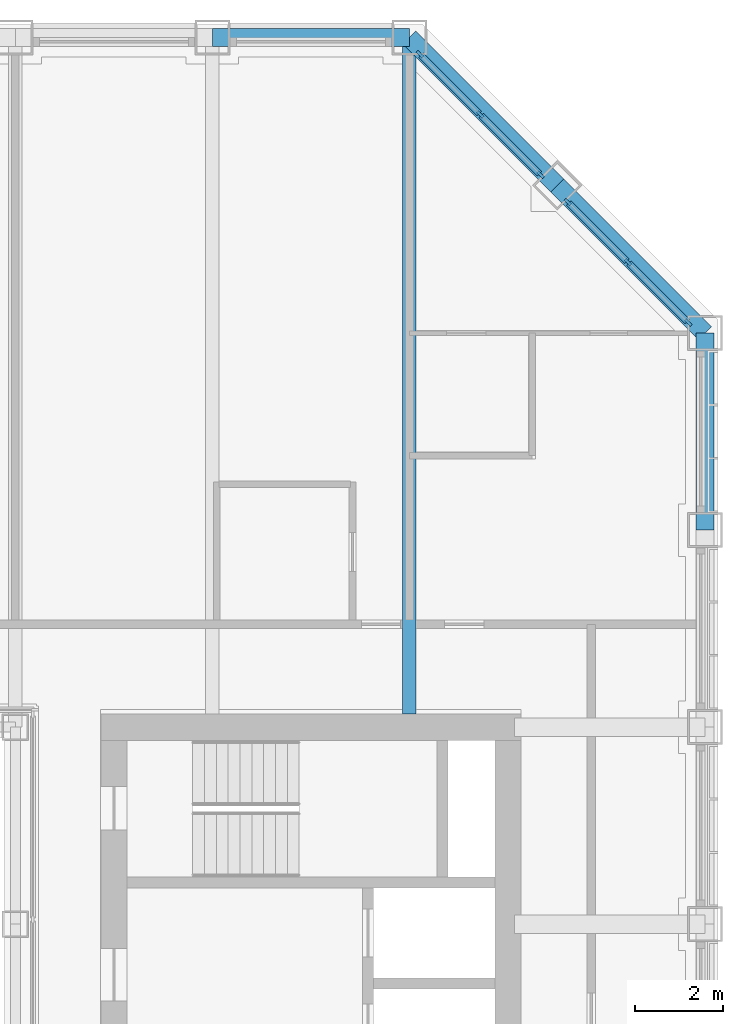
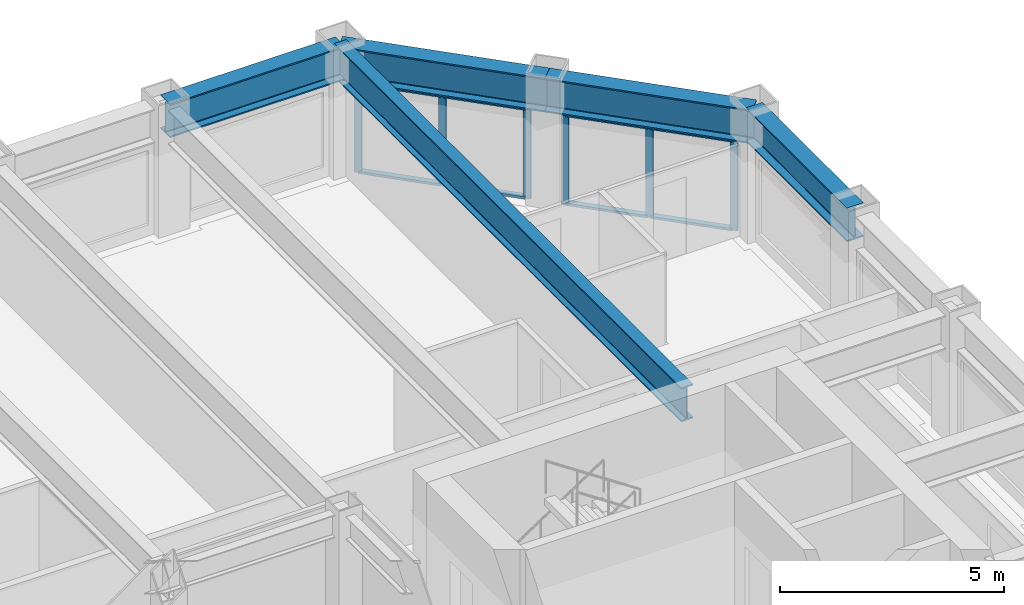
# One storey, part 8 of 17: 14 members, 5 beams, 2 elements without a shape of their own.
"""IFC4 building model written with IfcOpenShell, lengths in metres."""

from ifc_helpers import new_model, si_unit, direction, frame, origin, origin_2d, place, context, subcontext, project, spatial, rectangle, i_section, extrude, material, material_profile, profile_set, type_object, element, aggregate, save


model = new_model("IFC4")

# Units and contexts
model_context = context("Model", 3, precision=1e-05, world=origin(), true_north=direction((0.0, 1.0)))
body_context = subcontext(model_context, "Body", "Model", "MODEL_VIEW")
ifc_project = project(units=[si_unit("LENGTHUNIT", "METRE"), si_unit("AREAUNIT", "SQUARE_METRE"), si_unit("VOLUMEUNIT", "CUBIC_METRE"), si_unit("PLANEANGLEUNIT", "RADIAN"), si_unit("MASSUNIT", "GRAM", prefix="KILO")], contexts=[model_context])

# Site, building, storey
site_placement = place(None, origin())
site = spatial("IfcSite", under=ifc_project, at=site_placement, CompositionType="ELEMENT")
building_placement = place(site_placement, origin())
building = spatial("IfcBuilding", under=site, at=building_placement, Name="Msasa Ring Tower", CompositionType="ELEMENT")
storey_placement = place(building_placement, frame((0.0, 0.0, 168.800048828125)))
storey = spatial("IfcBuildingStorey", under=building, at=storey_placement, Name="L44", CompositionType="ELEMENT", Elevation=168.800048828125)

# Curtain wall, members
ifc_material_1 = material(Name="Aluminium curtain wall with clear glass", Category="aluminium")
curtain_wall_type = type_object("IfcCurtainWallType", Name="CW-C CHAMFER CORNER CURTAIN WALL", PredefinedType="NOTDEFINED", material=ifc_material_1)
curtain_wall_1_placement = place(storey_placement, origin())
curtain_wall_1 = element("IfcCurtainWall", 1, at=curtain_wall_1_placement, inside=storey, type_object=curtain_wall_type, Name="Chamfer corner curtain wall NE L44", PredefinedType="NOTDEFINED")
ifc_material_2 = material(Name="Aluminium mullion", Category="aluminium")
ifc_material_profile_1 = material_profile(ifc_material_2, rectangle(XDim=0.06494140625, YDim=0.179931640625, at=origin_2d()), Name="AL 65x180")
ifc_profile_set_1 = profile_set([ifc_material_profile_1], Name="Aluminium mullion")
member_type_1 = type_object("IfcMemberType", Name="CW-C MULLION 65x180", PredefinedType="MULLION", material=ifc_profile_set_1)
member_1_placement = place(storey_placement, frame((18.744873046875, 19.36376953125, 0.0), z_axis=(0.0, 0.0, 1.0), x_axis=(-0.707106781187, -0.707106781187, 0.0)))
member_1 = element("IfcMember", 2, at=member_1_placement, type_object=member_type_1, Name="CW-C mullion 1", PredefinedType="MULLION", context=body_context, shape_type="SweptSolid", body=[
    extrude(rectangle(XDim=0.06494140625, YDim=0.179931640625, at=origin_2d()), origin(), (0.0, 0.0, 1.0), 2.47900390625),
])
member_2_placement = place(storey_placement, frame((17.36669921875, 20.74169921875, 0.0), z_axis=(0.0, 0.0, 1.0), x_axis=(-0.707106781187, -0.707106781187, 0.0)))
member_2 = element("IfcMember", 3, at=member_2_placement, type_object=member_type_1, Name="CW-C mullion 2", PredefinedType="MULLION", context=body_context, shape_type="SweptSolid", body=[
    extrude(rectangle(XDim=0.06494140625, YDim=0.179931640625, at=origin_2d()), origin(), (0.0, 0.0, 1.0), 2.47900390625),
])
member_3_placement = place(storey_placement, frame((15.98876953125, 22.119873046875, 0.0), z_axis=(0.0, 0.0, 1.0), x_axis=(-0.707106781187, -0.707106781187, 0.0)))
member_3 = element("IfcMember", 4, at=member_3_placement, type_object=member_type_1, Name="CW-C mullion 3", PredefinedType="MULLION", context=body_context, shape_type="SweptSolid", body=[
    extrude(rectangle(XDim=0.06494140625, YDim=0.179931640625, at=origin_2d()), origin(), (0.0, 0.0, 1.0), 2.47900390625),
])

curtain_wall_2_placement = place(storey_placement, origin())
curtain_wall_2 = element("IfcCurtainWall", 5, at=curtain_wall_2_placement, inside=storey, type_object=curtain_wall_type, Name="Chamfer corner curtain wall NE L44", PredefinedType="NOTDEFINED")
member_4_placement = place(storey_placement, frame((22.119873046875, 15.98876953125, 0.0), z_axis=(0.0, 0.0, 1.0), x_axis=(-0.707106781187, -0.707106781187, 0.0)))
member_4 = element("IfcMember", 6, at=member_4_placement, type_object=member_type_1, Name="CW-C mullion 1", PredefinedType="MULLION", context=body_context, shape_type="SweptSolid", body=[
    extrude(rectangle(XDim=0.06494140625, YDim=0.179931640625, at=origin_2d()), origin(), (0.0, 0.0, 1.0), 2.47900390625),
])
member_5_placement = place(storey_placement, frame((20.74169921875, 17.36669921875, 0.0), z_axis=(0.0, 0.0, 1.0), x_axis=(-0.707106781187, -0.707106781187, 0.0)))
member_5 = element("IfcMember", 7, at=member_5_placement, type_object=member_type_1, Name="CW-C mullion 2", PredefinedType="MULLION", context=body_context, shape_type="SweptSolid", body=[
    extrude(rectangle(XDim=0.06494140625, YDim=0.179931640625, at=origin_2d()), origin(), (0.0, 0.0, 1.0), 2.47900390625),
])
member_6_placement = place(storey_placement, frame((19.36376953125, 18.744873046875, 0.0), z_axis=(0.0, 0.0, 1.0), x_axis=(-0.707106781187, -0.707106781187, 0.0)))
member_6 = element("IfcMember", 8, at=member_6_placement, type_object=member_type_1, Name="CW-C mullion 3", PredefinedType="MULLION", context=body_context, shape_type="SweptSolid", body=[
    extrude(rectangle(XDim=0.06494140625, YDim=0.179931640625, at=origin_2d()), origin(), (0.0, 0.0, 1.0), 2.47900390625),
])

# Member
ifc_material_3 = material(Name="Aluminium transom", Category="aluminium")
ifc_material_profile_2 = material_profile(ifc_material_3, rectangle(XDim=0.139892578125, YDim=0.06494140625, at=origin_2d()), Name="AL 65x140")
ifc_profile_set_2 = profile_set([ifc_material_profile_2], Name="Aluminium transom")
member_type_2 = type_object("IfcMemberType", Name="CW-C TRANSOM 65x140", PredefinedType="USERDEFINED", material=ifc_profile_set_2)
member_7_placement = place(storey_placement, frame((18.721923828125, 19.38671875, 0.032470703125), z_axis=(-0.707106781187, 0.707106781187, 0.0), x_axis=(-0.707106781187, -0.707106781187, 0.0)))
member_7 = element("IfcMember", 9, at=member_7_placement, type_object=member_type_2, Name="CW-C transom 1.1", ObjectType="TRANSOM", PredefinedType="USERDEFINED", context=body_context, shape_type="SweptSolid", body=[
    extrude(rectangle(XDim=0.139892578125, YDim=0.06494140625, at=origin_2d()), origin(), (0.0, 0.0, 1.0), 1.8837890625),
])

member_8_placement = place(storey_placement, frame((18.721923828125, 19.38671875, 2.446533203125), z_axis=(-0.707106781187, 0.707106781187, 0.0), x_axis=(-0.707106781187, -0.707106781187, 0.0)))
member_8 = element("IfcMember", 10, at=member_8_placement, type_object=member_type_2, Name="CW-C transom 1.2", ObjectType="TRANSOM", PredefinedType="USERDEFINED", context=body_context, shape_type="SweptSolid", body=[
    extrude(rectangle(XDim=0.139892578125, YDim=0.06494140625, at=origin_2d()), origin(), (0.0, 0.0, 1.0), 1.8837890625),
])

member_9_placement = place(storey_placement, frame((17.34375, 20.764892578125, 0.032470703125), z_axis=(-0.707106781187, 0.707106781187, 0.0), x_axis=(-0.707106781187, -0.707106781187, 0.0)))
member_9 = element("IfcMember", 11, at=member_9_placement, type_object=member_type_2, Name="CW-C transom 2.1", ObjectType="TRANSOM", PredefinedType="USERDEFINED", context=body_context, shape_type="SweptSolid", body=[
    extrude(rectangle(XDim=0.139892578125, YDim=0.06494140625, at=origin_2d()), origin(), (0.0, 0.0, 1.0), 1.8837890625),
])

member_10_placement = place(storey_placement, frame((17.34375, 20.764892578125, 2.446533203125), z_axis=(-0.707106781187, 0.707106781187, 0.0), x_axis=(-0.707106781187, -0.707106781187, 0.0)))
member_10 = element("IfcMember", 12, at=member_10_placement, type_object=member_type_2, Name="CW-C transom 2.2", ObjectType="TRANSOM", PredefinedType="USERDEFINED", context=body_context, shape_type="SweptSolid", body=[
    extrude(rectangle(XDim=0.139892578125, YDim=0.06494140625, at=origin_2d()), origin(), (0.0, 0.0, 1.0), 1.8837890625),
])

aggregate(curtain_wall_1, [member_1, member_2, member_3, member_7, member_8, member_9, member_10])

member_11_placement = place(storey_placement, frame((22.096923828125, 16.01171875, 0.032470703125), z_axis=(-0.707106781187, 0.707106781187, 0.0), x_axis=(-0.707106781187, -0.707106781187, 0.0)))
member_11 = element("IfcMember", 13, at=member_11_placement, type_object=member_type_2, Name="CW-C transom 1.1", ObjectType="TRANSOM", PredefinedType="USERDEFINED", context=body_context, shape_type="SweptSolid", body=[
    extrude(rectangle(XDim=0.139892578125, YDim=0.06494140625, at=origin_2d()), origin(), (0.0, 0.0, 1.0), 1.8837890625),
])

member_12_placement = place(storey_placement, frame((22.096923828125, 16.01171875, 2.446533203125), z_axis=(-0.707106781187, 0.707106781187, 0.0), x_axis=(-0.707106781187, -0.707106781187, 0.0)))
member_12 = element("IfcMember", 14, at=member_12_placement, type_object=member_type_2, Name="CW-C transom 1.2", ObjectType="TRANSOM", PredefinedType="USERDEFINED", context=body_context, shape_type="SweptSolid", body=[
    extrude(rectangle(XDim=0.139892578125, YDim=0.06494140625, at=origin_2d()), origin(), (0.0, 0.0, 1.0), 1.8837890625),
])

member_13_placement = place(storey_placement, frame((20.71875, 17.389892578125, 0.032470703125), z_axis=(-0.707106781187, 0.707106781187, 0.0), x_axis=(-0.707106781187, -0.707106781187, 0.0)))
member_13 = element("IfcMember", 15, at=member_13_placement, type_object=member_type_2, Name="CW-C transom 2.1", ObjectType="TRANSOM", PredefinedType="USERDEFINED", context=body_context, shape_type="SweptSolid", body=[
    extrude(rectangle(XDim=0.139892578125, YDim=0.06494140625, at=origin_2d()), origin(), (0.0, 0.0, 1.0), 1.8837890625),
])

member_14_placement = place(storey_placement, frame((20.71875, 17.389892578125, 2.446533203125), z_axis=(-0.707106781187, 0.707106781187, 0.0), x_axis=(-0.707106781187, -0.707106781187, 0.0)))
member_14 = element("IfcMember", 16, at=member_14_placement, type_object=member_type_2, Name="CW-C transom 2.2", ObjectType="TRANSOM", PredefinedType="USERDEFINED", context=body_context, shape_type="SweptSolid", body=[
    extrude(rectangle(XDim=0.139892578125, YDim=0.06494140625, at=origin_2d()), origin(), (0.0, 0.0, 1.0), 1.8837890625),
])

aggregate(curtain_wall_2, [member_4, member_5, member_6, member_11, member_12, member_13, member_14])

# Beams
ifc_material_4 = material(Name="Steel S355", Category="steel")
ifc_material_profile_3 = material_profile(ifc_material_4, i_section(OverallWidth=0.3076171875, OverallDepth=0.926513671875, WebThickness=0.01953125, FlangeThickness=0.031982421875, FilletRadius=0.01904296875, at=origin_2d()), Name="UB 914x305x289")
ifc_profile_set_3 = profile_set([ifc_material_profile_3], Name="Steel S355")
beam_type_1 = type_object("IfcBeamType", Name="FB3 UB 914x305x289", PredefinedType="BEAM", material=ifc_profile_set_3)
beam_1_placement = place(storey_placement, frame((15.75, 22.5, 2.936767578125), z_axis=(0.0, -1.0, 0.0), x_axis=(1.0, 0.0, 0.0)))
element("IfcBeam", 17, at=beam_1_placement, inside=storey, type_object=beam_type_1, Name="Floor beam N+15.75 under L45", PredefinedType="BEAM", context=body_context, shape_type="SweptSolid", body=[
    extrude(i_section(OverallWidth=0.3076171875, OverallDepth=0.926513671875, WebThickness=0.01953125, FlangeThickness=0.031982421875, FilletRadius=0.01904296875, at=origin_2d()), origin(), (0.0, 0.0, 1.0), 15.449951171875),
])
ifc_material_5 = material(Name="Steel S355", Category="steel")
ifc_material_profile_4 = material_profile(ifc_material_5, i_section(OverallWidth=0.42041015625, OverallDepth=0.9208984375, WebThickness=0.021484375, FlangeThickness=0.03662109375, FilletRadius=0.024169921875, at=origin_2d()), Name="UB 914x419x388")
ifc_profile_set_4 = profile_set([ifc_material_profile_4], Name="Steel S355")
beam_type_2 = type_object("IfcBeamType", Name="SB1 UB 914x419x388", PredefinedType="SPANDREL", material=ifc_profile_set_4)
beam_2_placement = place(storey_placement, frame((22.5, 11.25, 2.939453125), z_axis=(0.0, 1.0, 0.0), x_axis=(-1.0, 0.0, 0.0)))
element("IfcBeam", 18, at=beam_2_placement, inside=storey, type_object=beam_type_2, Name="Spandrel E+11.25 to E+15.75 under L45", PredefinedType="SPANDREL", context=body_context, shape_type="SweptSolid", body=[
    extrude(i_section(OverallWidth=0.42041015625, OverallDepth=0.9208984375, WebThickness=0.021484375, FlangeThickness=0.03662109375, FilletRadius=0.024169921875, at=origin_2d()), origin(), (0.0, 0.0, 1.0), 4.5),
])
for number, where, z_axis, x_axis, name in (
    (19, (22.5, 15.75, 2.939453125), (-0.707106781187, 0.707106781187, 0.0), (-0.707106781187, -0.707106781187, 0.0), "Spandrel E+15.75 to NE under L45"),
    (20, (19.125, 19.125, 2.939453125), (-0.707106781187, 0.707106781187, 0.0), (-0.707106781187, -0.707106781187, 0.0), "Spandrel NE to N+15.75 under L45"),
):
    element("IfcBeam", number, at=place(storey_placement, frame(where, z_axis=z_axis, x_axis=x_axis)), inside=storey, type_object=beam_type_2, Name=name, PredefinedType="SPANDREL", context=body_context, shape_type="SweptSolid", body=[
        extrude(i_section(OverallWidth=0.42041015625, OverallDepth=0.9208984375, WebThickness=0.021484375, FlangeThickness=0.03662109375, FilletRadius=0.024169921875, at=origin_2d()), origin(), (0.0, 0.0, 1.0), 4.77294921875),
    ])
beam_3_placement = place(storey_placement, frame((15.75, 22.5, 2.939453125), z_axis=(-1.0, 0.0, 0.0), x_axis=(0.0, -1.0, 0.0)))
element("IfcBeam", 21, at=beam_3_placement, inside=storey, type_object=beam_type_2, Name="Spandrel N+15.75 to N+11.25 under L45", PredefinedType="SPANDREL", context=body_context, shape_type="SweptSolid", body=[
    extrude(i_section(OverallWidth=0.42041015625, OverallDepth=0.9208984375, WebThickness=0.021484375, FlangeThickness=0.03662109375, FilletRadius=0.024169921875, at=origin_2d()), origin(), (0.0, 0.0, 1.0), 4.5),
])

save(model, "model.ifc")
